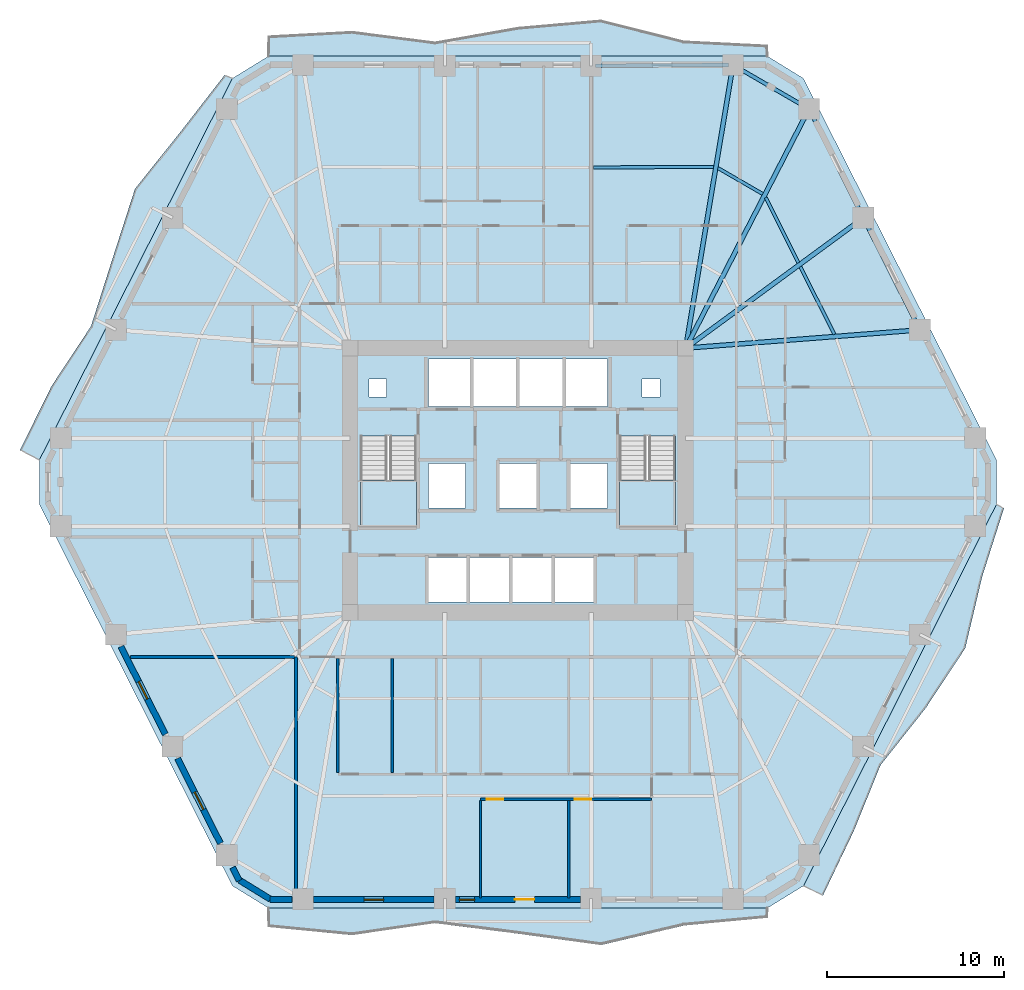
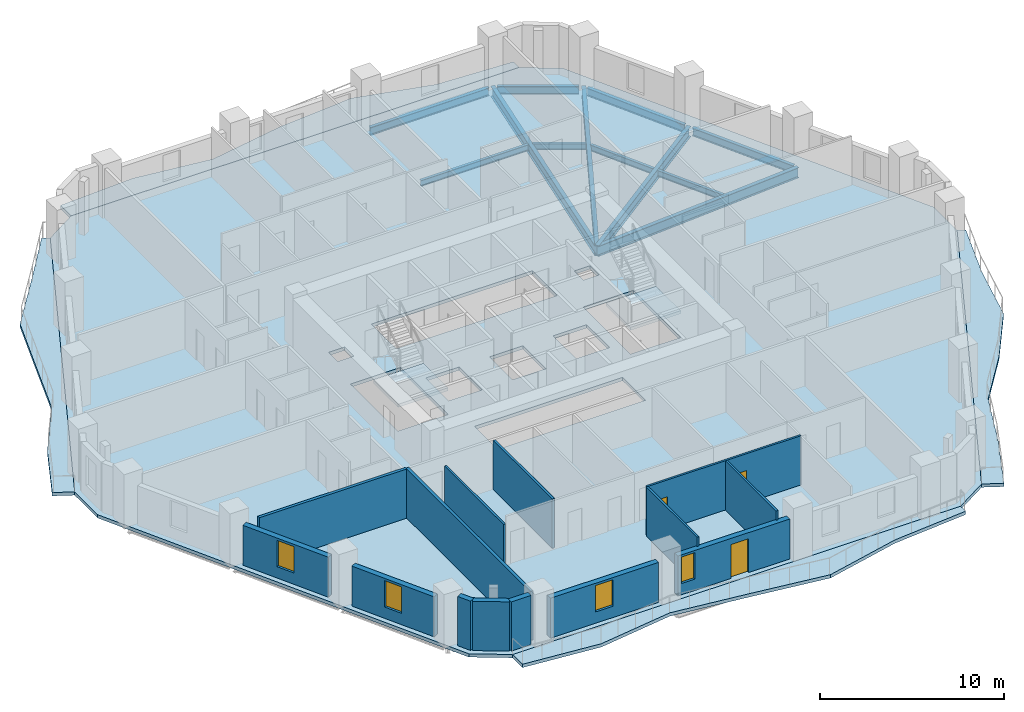
# One storey, part 3 of 12: 14 walls, 12 beams, 7 slabs, 4 windows, 3 doors, 7 openings, 2 elements without a shape of their own.
"""IFC4 building model written with IfcOpenShell, lengths in metres."""

from ifc_helpers import new_model, si_unit, direction, frame, frame_2d, origin, origin_2d, place, context, subcontext, project, spatial, polyline, rectangle, i_section, outline, extrude, material, layer, layer_set, material_profile, profile_set, type_object, element, fill, aggregate, save


model = new_model("IFC4")

# Units and contexts
model_context = context("Model", 3, precision=1e-05, world=origin(), true_north=direction((0.0, 1.0)))
body_context = subcontext(model_context, "Body", "Model", "MODEL_VIEW")
ifc_project = project(units=[si_unit("LENGTHUNIT", "METRE"), si_unit("AREAUNIT", "SQUARE_METRE"), si_unit("VOLUMEUNIT", "CUBIC_METRE"), si_unit("PLANEANGLEUNIT", "RADIAN"), si_unit("MASSUNIT", "GRAM", prefix="KILO")], contexts=[model_context])

# Site, building, storey
site_placement = place(None, origin())
site = spatial("IfcSite", under=ifc_project, at=site_placement, CompositionType="ELEMENT")
building_placement = place(site_placement, origin())
building = spatial("IfcBuilding", under=site, at=building_placement, Name="Cinnabar Lancet Tower", CompositionType="ELEMENT")
storey_placement = place(building_placement, frame((0.0, 0.0, 71.050048828125)))
storey = spatial("IfcBuildingStorey", under=building, at=storey_placement, Name="L18", CompositionType="ELEMENT", Elevation=71.050048828125)

# Beams
ifc_material_1 = material(Name="Structural steel S355", Category="steel")
ifc_material_profile_1 = material_profile(ifc_material_1, i_section(OverallWidth=0.177978515625, OverallDepth=0.406494140625, WebThickness=0.0078125, FlangeThickness=0.0126953125, FilletRadius=0.01025390625, at=origin_2d()), Name="UKB 406x178x60")
ifc_profile_set_1 = profile_set([ifc_material_profile_1], Name="Structural steel S355")
beam_type_1 = type_object("IfcBeamType", Name="STR-BM-JST-406", PredefinedType="JOIST", material=ifc_profile_set_1)
beam_1_placement = place(storey_placement, frame((50.23388671875, 34.132080078125, -0.423095703125), z_axis=(-0.450856172856, 0.8925966118, 0.0), x_axis=(-0.8925966118, -0.450856172856, 0.0)))
element("IfcBeam", 1, at=beam_1_placement, inside=storey, type_object=beam_type_1, Name="L18 Secondary Floor Joist 27", PredefinedType="JOIST", context=body_context, shape_type="SweptSolid", body=[
    extrude(i_section(OverallWidth=0.177978515625, OverallDepth=0.406494140625, WebThickness=0.0078125, FlangeThickness=0.0126953125, FilletRadius=0.01025390625, at=origin_2d()), origin(), (0.0, 0.0, 1.0), 4.25830078125),
])
beam_2_placement = place(storey_placement, frame((48.197998046875, 38.1630859375, -0.423095703125), z_axis=(-0.445641523434, 0.895211501597, 0.0), x_axis=(-0.895211501597, -0.445641523434, 0.0)))
element("IfcBeam", 2, at=beam_2_placement, inside=storey, type_object=beam_type_1, Name="L18 Secondary Floor Joist 29", PredefinedType="JOIST", context=body_context, shape_type="SweptSolid", body=[
    extrude(i_section(OverallWidth=0.177978515625, OverallDepth=0.406494140625, WebThickness=0.0078125, FlangeThickness=0.0126953125, FilletRadius=0.01025390625, at=origin_2d()), origin(), (0.0, 0.0, 1.0), 4.1015625),
])
beam_3_placement = place(storey_placement, frame((46.18994140625, 42.0390625, -0.423095703125), z_axis=(-0.865209684948, 0.501410212373, 0.0), x_axis=(-0.501410212373, -0.865209684948, 0.0)))
element("IfcBeam", 3, at=beam_3_placement, inside=storey, type_object=beam_type_1, Name="L18 Secondary Floor Joist 31", PredefinedType="JOIST", context=body_context, shape_type="SweptSolid", body=[
    extrude(i_section(OverallWidth=0.177978515625, OverallDepth=0.406494140625, WebThickness=0.0078125, FlangeThickness=0.0126953125, FilletRadius=0.01025390625, at=origin_2d()), origin(), (0.0, 0.0, 1.0), 2.90771484375),
])
beam_4_placement = place(storey_placement, frame((43.427978515625, 43.56396484375, -0.423095703125), z_axis=(-0.999988871223, -0.004717778015, 0.0), x_axis=(0.004717778015, -0.999988871223, 0.0)))
element("IfcBeam", 4, at=beam_4_placement, inside=storey, type_object=beam_type_1, Name="L18 Secondary Floor Joist 33", PredefinedType="JOIST", context=body_context, shape_type="SweptSolid", body=[
    extrude(i_section(OverallWidth=0.177978515625, OverallDepth=0.406494140625, WebThickness=0.0078125, FlangeThickness=0.0126953125, FilletRadius=0.01025390625, at=origin_2d()), origin(), (0.0, 0.0, 1.0), 6.779052734375),
])
ifc_material_2 = material(Name="Structural steel S355", Category="steel")
ifc_material_profile_2 = material_profile(ifc_material_2, i_section(OverallWidth=0.209228515625, OverallDepth=0.533203125, WebThickness=0.010009765625, FlangeThickness=0.015625, FilletRadius=0.0126953125, at=origin_2d()), Name="UKB 533x210x92")
ifc_profile_set_2 = profile_set([ifc_material_profile_2], Name="Structural steel S355")
beam_type_2 = type_object("IfcBeamType", Name="STR-BM-SPN-533", PredefinedType="SPANDREL", material=ifc_profile_set_2)
beam_5_placement = place(storey_placement, frame((54.93310546875, 34.60302734375, -0.487060546875), z_axis=(-0.450703143926, 0.892673891214, 0.0), x_axis=(-0.892673891214, -0.450703143926, 0.0)))
element("IfcBeam", 5, at=beam_5_placement, inside=storey, type_object=beam_type_2, Name="L18 Perimeter Spandrel 10", PredefinedType="SPANDREL", context=body_context, shape_type="SweptSolid", body=[
    extrude(i_section(OverallWidth=0.209228515625, OverallDepth=0.533203125, WebThickness=0.010009765625, FlangeThickness=0.015625, FilletRadius=0.0126953125, at=origin_2d()), origin(), (0.0, 0.0, 1.0), 6.570068359375),
])
beam_6_placement = place(storey_placement, frame((51.748046875, 40.9150390625, -0.487060546875), z_axis=(-0.445953050023, 0.89505635419, 0.0), x_axis=(-0.89505635419, -0.445953050023, 0.0)))
element("IfcBeam", 6, at=beam_6_placement, inside=storey, type_object=beam_type_2, Name="L18 Perimeter Spandrel 11", PredefinedType="SPANDREL", context=body_context, shape_type="SweptSolid", body=[
    extrude(i_section(OverallWidth=0.209228515625, OverallDepth=0.533203125, WebThickness=0.010009765625, FlangeThickness=0.015625, FilletRadius=0.0126953125, at=origin_2d()), origin(), (0.0, 0.0, 1.0), 6.35498046875),
])
beam_7_placement = place(storey_placement, frame((48.5869140625, 46.951904296875, -0.487060546875), z_axis=(-0.865147238596, 0.501517951374, 0.0), x_axis=(-0.501517951374, -0.865147238596, 0.0)))
element("IfcBeam", 7, at=beam_7_placement, inside=storey, type_object=beam_type_2, Name="L18 Perimeter Spandrel 12", PredefinedType="SPANDREL", context=body_context, shape_type="SweptSolid", body=[
    extrude(i_section(OverallWidth=0.209228515625, OverallDepth=0.533203125, WebThickness=0.010009765625, FlangeThickness=0.015625, FilletRadius=0.0126953125, at=origin_2d()), origin(), (0.0, 0.0, 1.0), 4.454833984375),
])
beam_8_placement = place(storey_placement, frame((44.26708984375, 49.30908203125, -0.487060546875), z_axis=(-0.99997856757, -0.006547090947, 0.0), x_axis=(0.006547090947, -0.99997856757, 0.0)))
element("IfcBeam", 8, at=beam_8_placement, inside=storey, type_object=beam_type_2, Name="L18 Perimeter Spandrel 13", PredefinedType="SPANDREL", context=body_context, shape_type="SweptSolid", body=[
    extrude(i_section(OverallWidth=0.209228515625, OverallDepth=0.533203125, WebThickness=0.010009765625, FlangeThickness=0.015625, FilletRadius=0.0126953125, at=origin_2d()), origin(), (0.0, 0.0, 1.0), 7.495361328125),
])
ifc_material_3 = material(Name="Structural steel S355", Category="steel")
ifc_material_profile_3 = material_profile(ifc_material_3, i_section(OverallWidth=0.253662109375, OverallDepth=0.68359375, WebThickness=0.012451171875, FlangeThickness=0.01904296875, FilletRadius=0.01513671875, at=origin_2d()), Name="UKB 686x254x140")
ifc_profile_set_3 = profile_set([ifc_material_profile_3], Name="Structural steel S355")
beam_type_3 = type_object("IfcBeamType", Name="STR-BM-UKB686-140", PredefinedType="BEAM", material=ifc_profile_set_3)
beam_9_placement = place(storey_placement, frame((51.85888671875, 40.69091796875, -0.56201171875), z_axis=(-0.80636497312, -0.591418236213, 0.0), x_axis=(0.591418236213, -0.80636497312, 0.0)))
element("IfcBeam", 9, at=beam_9_placement, inside=storey, type_object=beam_type_3, Name="L18 Corner Collector Girder 3", PredefinedType="BEAM", context=body_context, shape_type="SweptSolid", body=[
    extrude(i_section(OverallWidth=0.253662109375, OverallDepth=0.68359375, WebThickness=0.012451171875, FlangeThickness=0.01904296875, FilletRadius=0.01513671875, at=origin_2d()), origin(), (0.0, 0.0, 1.0), 12.412353515625),
])
beam_10_placement = place(storey_placement, frame((55.0458984375, 34.3798828125, -0.56201171875), z_axis=(-0.99696880683, -0.077802302076, 0.0), x_axis=(0.077802302076, -0.99696880683, 0.0)))
element("IfcBeam", 10, at=beam_10_placement, inside=storey, type_object=beam_type_3, Name="L18 Primary Floor Girder 10", PredefinedType="BEAM", context=body_context, shape_type="SweptSolid", body=[
    extrude(i_section(OverallWidth=0.253662109375, OverallDepth=0.68359375, WebThickness=0.012451171875, FlangeThickness=0.01904296875, FilletRadius=0.01513671875, at=origin_2d()), origin(), (0.0, 0.0, 1.0), 13.23583984375),
])
beam_11_placement = place(storey_placement, frame((48.802978515625, 46.826904296875, -0.56201171875), z_axis=(-0.458492410387, -0.888698323177, 0.0), x_axis=(0.888698323177, -0.458492410387, 0.0)))
element("IfcBeam", 11, at=beam_11_placement, inside=storey, type_object=beam_type_3, Name="L18 Primary Floor Girder 12", PredefinedType="BEAM", context=body_context, shape_type="SweptSolid", body=[
    extrude(i_section(OverallWidth=0.253662109375, OverallDepth=0.68359375, WebThickness=0.012451171875, FlangeThickness=0.01904296875, FilletRadius=0.01513671875, at=origin_2d()), origin(), (0.0, 0.0, 1.0), 15.16455078125),
])
beam_12_placement = place(storey_placement, frame((44.51708984375, 49.31103515625, -0.56201171875), z_axis=(-0.164809990854, -0.986325335229, 0.0), x_axis=(0.986325335229, -0.164809990854, 0.0)))
element("IfcBeam", 12, at=beam_12_placement, inside=storey, type_object=beam_type_3, Name="L18 Primary Floor Girder 13", PredefinedType="BEAM", context=body_context, shape_type="SweptSolid", body=[
    extrude(i_section(OverallWidth=0.253662109375, OverallDepth=0.68359375, WebThickness=0.012451171875, FlangeThickness=0.01904296875, FilletRadius=0.01513671875, at=origin_2d()), origin(), (0.0, 0.0, 1.0), 16.18212890625),
])

# Stair, slab
ifc_material_4 = material(Name="Concrete C40/50", Category="concrete")
stair_type = type_object("IfcStairType", Name="ST-CORE", PredefinedType="HALF_TURN_STAIR", material=ifc_material_4)
stair_1_placement = place(storey_placement, origin())
stair_1 = element("IfcStair", 13, at=stair_1_placement, inside=storey, type_object=stair_type, Name="L18 ST-1", PredefinedType="HALF_TURN_STAIR")
ifc_material_5 = material(Name="Concrete C40/50", Category="concrete")
ifc_layer_1 = layer(ifc_material_5, 0.199951171875)
ifc_layer_set_1 = layer_set([ifc_layer_1], Name="Concrete C40/50")
slab_type_1 = type_object("IfcSlabType", Name="LANDING-CORE", PredefinedType="LANDING", material=ifc_layer_set_1)
slab_1_placement = place(storey_placement, frame((0.0, 0.0, 1.574951171875)))
slab_1 = element("IfcSlab", 14, at=slab_1_placement, type_object=slab_type_1, Name="ST-1 landing 1", PredefinedType="LANDING", context=body_context, shape_type="SweptSolid", body=[
    extrude(outline(polyline([(23.52490234375, 25.925048828125), (23.52490234375, 23.25), (26.675048828125, 23.25), (26.675048828125, 25.925048828125), (23.52490234375, 25.925048828125)])), origin(), (0.0, 0.0, 1.0), 0.199951171875),
])
aggregate(stair_1, [slab_1])

stair_2_placement = place(storey_placement, origin())
stair_2 = element("IfcStair", 15, at=stair_2_placement, inside=storey, type_object=stair_type, Name="L18 ST-2", PredefinedType="HALF_TURN_STAIR")
slab_2_placement = place(storey_placement, frame((0.0, 0.0, 1.574951171875)))
slab_2 = element("IfcSlab", 16, at=slab_2_placement, type_object=slab_type_1, Name="ST-2 landing 1", PredefinedType="LANDING", context=body_context, shape_type="SweptSolid", body=[
    extrude(outline(polyline([(38.125, 25.925048828125), (38.125, 23.25), (41.27490234375, 23.25), (41.27490234375, 25.925048828125), (38.125, 25.925048828125)])), origin(), (0.0, 0.0, 1.0), 0.199951171875),
])
aggregate(stair_2, [slab_2])

# Slabs
ifc_material_6 = material(Name="Concrete C40/50", Category="concrete")
ifc_layer_2 = layer(ifc_material_6, 0.219970703125)
ifc_layer_set_2 = layer_set([ifc_layer_2], Name="Concrete C40/50")
slab_type_2 = type_object("IfcSlabType", Name="STR-SLB-FLR-220", PredefinedType="FLOOR", material=ifc_layer_set_2)
slab_3_placement = place(storey_placement, frame((0.0, 0.0, -0.219970703125)))
element("IfcSlab", 17, at=slab_3_placement, inside=storey, type_object=slab_type_2, Name="L18 Structural Floor Slab", PredefinedType="FLOOR", context=body_context, shape_type="SweptSolid", body=[
    extrude(outline(polyline([(16.31201171875, 3.049072265625), (18.343994140625, 1.800048828125), (46.4560546875, 1.800048828125), (48.488037109375, 3.049072265625), (59.367919921875, 24.551025390625), (59.367919921875, 27.049072265625), (48.488037109375, 48.551025390625), (46.4560546875, 49.800048828125), (18.343994140625, 49.800048828125), (16.31201171875, 48.551025390625), (5.431884765625, 27.049072265625), (5.431884765625, 24.551025390625), (16.31201171875, 3.049072265625)]), holes=[polyline([(23.52490234375, 23.25), (26.675048828125, 23.25), (26.675048828125, 28.3994140625), (23.52490234375, 28.3994140625), (23.52490234375, 23.25)]), polyline([(38.125, 23.25), (41.27490234375, 23.25), (41.27490234375, 28.3994140625), (38.125, 28.3994140625), (38.125, 23.25)]), polyline([(27.35009765625, 30.050048828125), (37.449951171875, 30.050048828125), (37.449951171875, 32.75), (27.35009765625, 32.75), (27.35009765625, 30.050048828125)]), polyline([(27.35009765625, 19.050048828125), (36.64990234375, 19.050048828125), (36.64990234375, 21.550048828125), (27.35009765625, 21.550048828125), (27.35009765625, 19.050048828125)]), polyline([(27.35009765625, 24.35009765625), (29.449951171875, 24.35009765625), (29.449951171875, 26.85009765625), (27.35009765625, 26.85009765625), (27.35009765625, 24.35009765625)]), polyline([(35.35009765625, 24.35009765625), (37.449951171875, 24.35009765625), (37.449951171875, 26.85009765625), (35.35009765625, 26.85009765625), (35.35009765625, 24.35009765625)]), polyline([(31.35009765625, 24.35009765625), (33.449951171875, 24.35009765625), (33.449951171875, 26.85009765625), (31.35009765625, 26.85009765625), (31.35009765625, 24.35009765625)]), polyline([(24.0, 30.60009765625), (25.0, 30.60009765625), (25.0, 31.60009765625), (24.0, 31.60009765625), (24.0, 30.60009765625)]), polyline([(39.39990234375, 30.60009765625), (40.39990234375, 30.60009765625), (40.39990234375, 31.60009765625), (39.39990234375, 31.60009765625), (39.39990234375, 30.60009765625)])]), origin(), (0.0, 0.0, 1.0), 0.219970703125),
])
ifc_material_7 = material(Name="Concrete C45/55", Category="concrete")
ifc_layer_3 = layer(ifc_material_7, 0.219970703125)
ifc_layer_set_3 = layer_set([ifc_layer_3], Name="Concrete C45/55")
slab_type_3 = type_object("IfcSlabType", Name="STR-SLB-WAV-220", PredefinedType="FLOOR", material=ifc_layer_set_3)
slab_4_placement = place(storey_placement, frame((0.0, 0.0, -0.219970703125)))
element("IfcSlab", 18, at=slab_4_placement, inside=storey, type_object=slab_type_3, Name="L18 Face 1 Undulating Wave Balcony Slab", PredefinedType="FLOOR", context=body_context, shape_type="SweptSolid", body=[
    extrude(outline(polyline([(18.343994140625, 1.800048828125), (18.343994140625, 0.73095703125), (23.029052734375, 0.27490234375), (27.715087890625, 0.948974609375), (32.39990234375, 0.35400390625), (37.0849609375, -0.287109375), (41.77099609375, 0.81689453125), (46.4560546875, 1.25), (46.4560546875, 1.800048828125), (18.343994140625, 1.800048828125)])), origin(), (0.0, 0.0, 1.0), 0.219970703125),
])
slab_5_placement = place(storey_placement, frame((0.0, 0.0, -0.219970703125)))
element("IfcSlab", 19, at=slab_5_placement, inside=storey, type_object=slab_type_3, Name="L18 Face 2 Undulating Wave Balcony Slab", PredefinedType="FLOOR", context=body_context, shape_type="SweptSolid", body=[
    extrude(outline(polyline([(48.488037109375, 3.049072265625), (49.5791015625, 2.4970703125), (51.31298828125, 6.12109375), (52.8310546875, 9.85400390625), (55.376953125, 13.06689453125), (57.60400390625, 16.44091796875), (58.553955078125, 20.4619140625), (59.7890625, 24.337890625), (59.367919921875, 24.551025390625), (48.488037109375, 3.049072265625)])), origin(), (0.0, 0.0, 1.0), 0.219970703125),
])
slab_6_placement = place(storey_placement, frame((0.0, 0.0, -0.219970703125)))
element("IfcSlab", 20, at=slab_6_placement, inside=storey, type_object=slab_type_3, Name="L18 Face 4 Undulating Wave Balcony Slab", PredefinedType="FLOOR", context=body_context, shape_type="SweptSolid", body=[
    extrude(outline(polyline([(46.4560546875, 49.800048828125), (46.4560546875, 50.424072265625), (41.77099609375, 50.659912109375), (37.0849609375, 51.841064453125), (32.39990234375, 51.431884765625), (27.715087890625, 50.60498046875), (23.029052734375, 51.201904296875), (18.343994140625, 50.943115234375), (18.343994140625, 49.800048828125), (46.4560546875, 49.800048828125)])), origin(), (0.0, 0.0, 1.0), 0.219970703125),
])
slab_7_placement = place(storey_placement, frame((0.0, 0.0, -0.219970703125)))
element("IfcSlab", 21, at=slab_7_placement, inside=storey, type_object=slab_type_3, Name="L18 Face 5 Undulating Wave Balcony Slab", PredefinedType="FLOOR", context=body_context, shape_type="SweptSolid", body=[
    extrude(outline(polyline([(16.31201171875, 48.551025390625), (15.89306640625, 48.762939453125), (13.382080078125, 45.531982421875), (10.822021484375, 42.326904296875), (9.574951171875, 38.4560546875), (8.341064453125, 34.5791015625), (6.115966796875, 31.2041015625), (4.342041015625, 27.60009765625), (5.431884765625, 27.049072265625), (16.31201171875, 48.551025390625)])), origin(), (0.0, 0.0, 1.0), 0.219970703125),
])

# Walls
ifc_material_8 = material(Name="Fire-rated twin-frame acoustic drywall", Category="gypsum")
ifc_layer_4 = layer(ifc_material_8, 0.179931640625)
ifc_layer_set_4 = layer_set([ifc_layer_4], Name="Fire-rated twin-frame acoustic drywall")
wall_type_1 = type_object("IfcWallType", Name="ARC-WL-PARTY-180", PredefinedType="PARTITIONING", material=ifc_layer_set_4)
wall_1_placement = place(storey_placement, frame((19.89990234375, 2.455078125, 0.0), z_axis=(0.0, 0.0, 1.0), x_axis=(0.0, 1.0, 0.0)))
element("IfcWall", 22, at=wall_1_placement, inside=storey, type_object=wall_type_1, Name="PW-L18-SPTY-199", PredefinedType="PARTITIONING", context=body_context, shape_type="SweptSolid", body=[
    extrude(rectangle(XDim=13.494873046875, YDim=0.179931640625, at=frame_2d((6.74755859375, 0.0))), origin(), (0.0, 0.0, 1.0), 3.27001953125),
])
wall_2_placement = place(storey_placement, frame((10.56396484375, 15.949951171875, 0.0), z_axis=(0.0, 0.0, 1.0), x_axis=(1.0, 0.0, 0.0)))
element("IfcWall", 23, at=wall_2_placement, inside=storey, type_object=wall_type_1, Name="PW-L18-WSB", PredefinedType="PARTITIONING", context=body_context, shape_type="SweptSolid", body=[
    extrude(rectangle(XDim=9.240966796875, YDim=0.179931640625, at=frame_2d((4.62060546875, 0.0))), origin(), (0.0, 0.0, 1.0), 3.27001953125),
])
ifc_material_9 = material(Name="Gypsum plasterboard stud partition", Category="gypsum")
ifc_layer_5 = layer(ifc_material_9, 0.125)
ifc_layer_set_5 = layer_set([ifc_layer_5], Name="Gypsum plasterboard stud partition")
wall_type_2 = type_object("IfcWallType", Name="ARC-WL-UNIT-125", PredefinedType="PARTITIONING", material=ifc_layer_set_5)
wall_3_placement = place(storey_placement, frame((22.25, 9.44189453125, 0.0), z_axis=(0.0, 0.0, 1.0), x_axis=(0.0, 1.0, 0.0)))
element("IfcWall", 24, at=wall_3_placement, inside=storey, type_object=wall_type_2, Name="UW-L18-S01-FOYE", PredefinedType="PARTITIONING", context=body_context, shape_type="SweptSolid", body=[
    extrude(rectangle(XDim=6.423095703125, YDim=0.125, at=frame_2d((3.21142578125, 0.0))), origin(), (0.0, 0.0, 1.0), 2.639892578125),
])
wall_4_placement = place(storey_placement, frame((30.297119140625, 2.364990234375, 0.0), z_axis=(0.0, 0.0, 1.0), x_axis=(0.0, 1.0, 0.0)))
element("IfcWall", 25, at=wall_4_placement, inside=storey, type_object=wall_type_2, Name="UW-L18-S01-BD2W", PredefinedType="PARTITIONING", context=body_context, shape_type="SweptSolid", body=[
    extrude(rectangle(XDim=5.507080078125, YDim=0.125, at=frame_2d((2.75341796875, 0.0))), origin(), (0.0, 0.0, 1.0), 3.27001953125),
])

# Wall, openings, doors
wall_5_placement = place(storey_placement, frame((30.297119140625, 7.93701171875, 0.0), z_axis=(0.0, 0.0, 1.0), x_axis=(1.0, 0.0, 0.0)))
wall_5 = element("IfcWall", 26, at=wall_5_placement, inside=storey, type_object=wall_type_2, Name="UW-L18-S01-HLN", PredefinedType="PARTITIONING", context=body_context, shape_type="SweptSolid", body=[
    extrude(rectangle(XDim=9.637939453125, YDim=0.125, at=frame_2d((4.81884765625, 0.0))), origin(), (0.0, 0.0, 1.0), 3.27001953125),
])
opening_1_placement = place(wall_5_placement, frame((0.35009765625, 0.0, 0.0)))
opening_1 = element("IfcOpeningElement", 27, at=opening_1_placement, cuts=wall_5, Name="Opening RD-01", PredefinedType="OPENING", context=body_context, shape_type="SweptSolid", body=[
    extrude(rectangle(XDim=0.919921875, YDim=2.14990234375, at=frame_2d((0.4599609375, 1.074951171875))), frame((0.0, 0.072509765625, 0.0), z_axis=(0.0, -1.0, 0.0), x_axis=(1.0, 0.0, 0.0)), (0.0, 0.0, 1.0), 0.14501953125),
])
opening_2_placement = place(wall_5_placement, frame((5.31494140625, 0.0, 0.0)))
opening_2 = element("IfcOpeningElement", 28, at=opening_2_placement, cuts=wall_5, Name="Opening RD-01", PredefinedType="OPENING", context=body_context, shape_type="SweptSolid", body=[
    extrude(rectangle(XDim=0.919921875, YDim=2.14990234375, at=frame_2d((0.4599609375, 1.074951171875))), frame((0.0, 0.072509765625, 0.0), z_axis=(0.0, -1.0, 0.0), x_axis=(1.0, 0.0, 0.0)), (0.0, 0.0, 1.0), 0.14501953125),
])
ifc_material_10 = material(Name="Engineered timber bedroom door", Category="wood")
door_type_1 = type_object("IfcDoorType", Name="ARC-DR-ROOM", OperationType="NOTDEFINED", PredefinedType="DOOR", material=ifc_material_10)
door_1_placement = place(opening_1_placement, origin())
door_1 = element("IfcDoor", 29, at=door_1_placement, inside=storey, type_object=door_type_1, Name="DR-L18-S01-BD2", OperationType="SINGLE_SWING_RIGHT", OverallHeight=2.14990234375, OverallWidth=0.919921875, PredefinedType="DOOR", context=body_context, shape_type="SweptSolid", body=[
    extrude(rectangle(XDim=0.919921875, YDim=2.14990234375, at=frame_2d((0.4599609375, 1.074951171875))), frame((0.0, 0.02490234375, 0.0), z_axis=(0.0, -1.0, 0.0), x_axis=(1.0, 0.0, 0.0)), (0.0, 0.0, 1.0), 0.050048828125),
])
fill(opening_1, door_1)
door_2_placement = place(opening_2_placement, origin())
door_2 = element("IfcDoor", 30, at=door_2_placement, inside=storey, type_object=door_type_1, Name="DR-L18-S01-BD3", OperationType="SINGLE_SWING_LEFT", OverallHeight=2.14990234375, OverallWidth=0.919921875, PredefinedType="DOOR", context=body_context, shape_type="SweptSolid", body=[
    extrude(rectangle(XDim=0.919921875, YDim=2.14990234375, at=frame_2d((0.4599609375, 1.074951171875))), frame((0.0, 0.02490234375, 0.0), z_axis=(0.0, -1.0, 0.0), x_axis=(1.0, 0.0, 0.0)), (0.0, 0.0, 1.0), 0.050048828125),
])
fill(opening_2, door_2)

# Walls
wall_6_placement = place(storey_placement, frame((35.261962890625, 2.364990234375, 0.0), z_axis=(0.0, 0.0, 1.0), x_axis=(0.0, 1.0, 0.0)))
element("IfcWall", 31, at=wall_6_placement, inside=storey, type_object=wall_type_2, Name="UW-L18-S01-MB2W", PredefinedType="PARTITIONING", context=body_context, shape_type="SweptSolid", body=[
    extrude(rectangle(XDim=5.507080078125, YDim=0.125, at=frame_2d((2.75341796875, 0.0))), origin(), (0.0, 0.0, 1.0), 3.27001953125),
])
ifc_material_11 = material(Name="Moisture-resistant cement-board plumbing wall", Category="masonry")
ifc_layer_6 = layer(ifc_material_11, 0.139892578125)
ifc_layer_set_6 = layer_set([ifc_layer_6], Name="Moisture-resistant cement-board plumbing wall")
wall_type_3 = type_object("IfcWallType", Name="ARC-WL-WET-140", PredefinedType="PLUMBINGWALL", material=ifc_layer_set_6)
wall_7_placement = place(storey_placement, frame((25.30810546875, 9.44189453125, 0.0), z_axis=(0.0, 0.0, 1.0), x_axis=(0.0, 1.0, 0.0)))
element("IfcWall", 32, at=wall_7_placement, inside=storey, type_object=wall_type_3, Name="UW-L18-S01-KDV", PredefinedType="PLUMBINGWALL", context=body_context, shape_type="SweptSolid", body=[
    extrude(rectangle(XDim=6.423095703125, YDim=0.139892578125, at=frame_2d((3.21142578125, 0.0))), origin(), (0.0, 0.0, 1.0), 3.27001953125),
])
ifc_material_12 = material(Name="Cinnabar red clay brick", Category="masonry")
ifc_layer_7 = layer(ifc_material_12, 0.340087890625)
ifc_layer_set_7 = layer_set([ifc_layer_7], Name="Cinnabar red clay brick")
wall_type_4 = type_object("IfcWallType", Name="ENV-WL-BRK-RED-340", PredefinedType="STANDARD", material=ifc_layer_set_7)
wall_8_placement = place(storey_placement, frame((16.719970703125, 3.362060546875, 0.0), z_axis=(0.0, 0.0, 1.0), x_axis=(0.851816122478, -0.523840904748, 0.0)))
element("IfcWall", 33, at=wall_8_placement, inside=storey, type_object=wall_type_4, Name="L18 Chamfered Corner Brick Pier 1.1", PredefinedType="STANDARD", context=body_context, shape_type="SweptSolid", body=[
    extrude(rectangle(XDim=2.01806640625, YDim=0.340087890625, at=frame_2d((1.009033203125, 0.0))), origin(), (0.0, 0.0, 1.0), 3.27001953125),
])
wall_9_placement = place(storey_placement, frame((18.43408203125, 2.280029296875, 0.0), z_axis=(0.0, 0.0, 1.0), x_axis=(1.0, 0.0, 0.0)))
element("IfcWall", 34, at=wall_9_placement, inside=storey, type_object=wall_type_4, Name="L18 Face 1 Masonry Bay Wall 1", PredefinedType="STANDARD", context=body_context, shape_type="SweptSolid", body=[
    extrude(rectangle(XDim=1.244873046875, YDim=0.340087890625, at=frame_2d((0.62255859375, 0.0))), origin(), (0.0, 0.0, 1.0), 3.27001953125),
])

# Wall, opening, window
wall_10_placement = place(storey_placement, frame((20.886962890625, 2.280029296875, 0.0), z_axis=(0.0, 0.0, 1.0), x_axis=(1.0, 0.0, 0.0)))
wall_10 = element("IfcWall", 35, at=wall_10_placement, inside=storey, type_object=wall_type_4, Name="L18 Face 1 Masonry Bay Wall 2", PredefinedType="STANDARD", context=body_context, shape_type="SweptSolid", body=[
    extrude(rectangle(XDim=6.787109375, YDim=0.340087890625, at=frame_2d((3.3935546875, 0.0))), origin(), (0.0, 0.0, 1.0), 2.65185546875),
])
opening_3_placement = place(wall_10_placement, frame((2.843017578125, 0.0, 0.75)))
opening_3 = element("IfcOpeningElement", 36, at=opening_3_placement, cuts=wall_10, Name="Opening WN-04", PredefinedType="OPENING", context=body_context, shape_type="SweptSolid", body=[
    extrude(rectangle(XDim=1.10009765625, YDim=1.751953125, at=frame_2d((0.550048828125, 0.8759765625))), frame((0.0, 0.179931640625, 0.0), z_axis=(0.0, -1.0, 0.0), x_axis=(1.0, 0.0, 0.0)), (0.0, 0.0, 1.0), 0.360107421875),
])
ifc_material_13 = material(Name="Thermally broken bronze-anodized aluminium tall lancet window", Category="aluminium")
window_type = type_object("IfcWindowType", Name="ENV-WN-LANCET-1100", PartitioningType="SINGLE_PANEL", PredefinedType="WINDOW", material=ifc_material_13)
window_1_placement = place(opening_3_placement, origin())
window_1 = element("IfcWindow", 37, at=window_1_placement, inside=storey, type_object=window_type, Name="L18 Face 1 Gothic Lancet Window 2", OverallHeight=1.751953125, OverallWidth=1.10009765625, PartitioningType="SINGLE_PANEL", PredefinedType="WINDOW", context=body_context, shape_type="SweptSolid", body=[
    extrude(rectangle(XDim=1.10009765625, YDim=1.751953125, at=frame_2d((0.550048828125, 0.8759765625))), frame((0.0, 0.030029296875, 0.0), z_axis=(0.0, -1.0, 0.0), x_axis=(1.0, 0.0, 0.0)), (0.0, 0.0, 1.0), 0.06005859375),
])
fill(opening_3, window_1)

# Wall, openings, door, window
wall_11_placement = place(storey_placement, frame((28.882080078125, 2.280029296875, 0.0), z_axis=(0.0, 0.0, 1.0), x_axis=(1.0, 0.0, 0.0)))
wall_11 = element("IfcWall", 38, at=wall_11_placement, inside=storey, type_object=wall_type_4, Name="L18 Face 1 Masonry Bay Wall 3", PredefinedType="STANDARD", context=body_context, shape_type="SweptSolid", body=[
    extrude(rectangle(XDim=7.035888671875, YDim=0.340087890625, at=frame_2d((3.51806640625, 0.0))), origin(), (0.0, 0.0, 1.0), 2.65185546875),
])
opening_4_placement = place(wall_11_placement, frame((3.346923828125, 0.0, 0.0)))
opening_4 = element("IfcOpeningElement", 39, at=opening_4_placement, cuts=wall_11, Name="Opening TD-01", PredefinedType="OPENING", context=body_context, shape_type="SweptSolid", body=[
    extrude(rectangle(XDim=1.10009765625, YDim=2.25, at=frame_2d((0.550048828125, 1.125))), frame((0.0, 0.179931640625, 0.0), z_axis=(0.0, -1.0, 0.0), x_axis=(1.0, 0.0, 0.0)), (0.0, 0.0, 1.0), 0.360107421875),
])
opening_5_placement = place(wall_11_placement, frame((0.219970703125, 0.0, 0.75)))
opening_5 = element("IfcOpeningElement", 40, at=opening_5_placement, cuts=wall_11, Name="Opening WN-04", PredefinedType="OPENING", context=body_context, shape_type="SweptSolid", body=[
    extrude(rectangle(XDim=0.862060546875, YDim=1.751953125, at=frame_2d((0.43115234375, 0.8759765625))), frame((0.0, 0.179931640625, 0.0), z_axis=(0.0, -1.0, 0.0), x_axis=(1.0, 0.0, 0.0)), (0.0, 0.0, 1.0), 0.360107421875),
])
ifc_material_14 = material(Name="Thermally broken low-E glazed balcony terrace door", Category="wood")
door_type_2 = type_object("IfcDoorType", Name="ARC-DR-BALC", OperationType="NOTDEFINED", PredefinedType="DOOR", material=ifc_material_14)
door_3_placement = place(opening_4_placement, origin())
door_3 = element("IfcDoor", 41, at=door_3_placement, inside=storey, type_object=door_type_2, Name="L18 Face 1 Glazed Terrace Door", OperationType="SINGLE_SWING_RIGHT", OverallHeight=2.25, OverallWidth=1.10009765625, PredefinedType="DOOR", context=body_context, shape_type="SweptSolid", body=[
    extrude(rectangle(XDim=1.10009765625, YDim=2.25, at=frame_2d((0.550048828125, 1.125))), frame((0.0, 0.02490234375, 0.0), z_axis=(0.0, -1.0, 0.0), x_axis=(1.0, 0.0, 0.0)), (0.0, 0.0, 1.0), 0.050048828125),
])
fill(opening_4, door_3)
window_2_placement = place(opening_5_placement, origin())
window_2 = element("IfcWindow", 42, at=window_2_placement, inside=storey, type_object=window_type, Name="L18 Split-Bay Gothic Lancet Window 45", OverallHeight=1.751953125, OverallWidth=0.862060546875, PartitioningType="SINGLE_PANEL", PredefinedType="WINDOW", context=body_context, shape_type="SweptSolid", body=[
    extrude(rectangle(XDim=0.862060546875, YDim=1.751953125, at=frame_2d((0.43115234375, 0.8759765625))), frame((0.0, 0.030029296875, 0.0), z_axis=(0.0, -1.0, 0.0), x_axis=(1.0, 0.0, 0.0)), (0.0, 0.0, 1.0), 0.06005859375),
])
fill(opening_5, window_2)

# Wall, opening, window
wall_12_placement = place(storey_placement, frame((10.02392578125, 16.5390625, 0.0), z_axis=(0.0, 0.0, 1.0), x_axis=(0.451627137896, -0.892206774417, 0.0)))
wall_12 = element("IfcWall", 43, at=wall_12_placement, inside=storey, type_object=wall_type_4, Name="L18 Face 6 Masonry Bay Wall 3", PredefinedType="STANDARD", context=body_context, shape_type="SweptSolid", body=[
    extrude(rectangle(XDim=5.546875, YDim=0.340087890625, at=frame_2d((2.7734375, 0.0))), origin(), (0.0, 0.0, 1.0), 2.65185546875),
])
opening_6_placement = place(wall_12_placement, frame((2.222900390625, 0.0, 0.75)))
opening_6 = element("IfcOpeningElement", 44, at=opening_6_placement, cuts=wall_12, Name="Opening WN-04", PredefinedType="OPENING", context=body_context, shape_type="SweptSolid", body=[
    extrude(rectangle(XDim=1.10009765625, YDim=1.751953125, at=frame_2d((0.550048828125, 0.8759765625))), frame((0.0, 0.179931640625, 0.0), z_axis=(0.0, -1.0, 0.0), x_axis=(1.0, 0.0, 0.0)), (0.0, 0.0, 1.0), 0.360107421875),
])
window_3_placement = place(opening_6_placement, origin())
window_3 = element("IfcWindow", 45, at=window_3_placement, inside=storey, type_object=window_type, Name="L18 Face 6 Gothic Lancet Window 3", OverallHeight=1.751953125, OverallWidth=1.10009765625, PartitioningType="SINGLE_PANEL", PredefinedType="WINDOW", context=body_context, shape_type="SweptSolid", body=[
    extrude(rectangle(XDim=1.10009765625, YDim=1.751953125, at=frame_2d((0.550048828125, 0.8759765625))), frame((0.0, 0.030029296875, 0.0), z_axis=(0.0, -1.0, 0.0), x_axis=(1.0, 0.0, 0.0)), (0.0, 0.0, 1.0), 0.06005859375),
])
fill(opening_6, window_3)

wall_13_placement = place(storey_placement, frame((13.217041015625, 10.22802734375, 0.0), z_axis=(0.0, 0.0, 1.0), x_axis=(0.451697561555, -0.892171123095, 0.0)))
wall_13 = element("IfcWall", 46, at=wall_13_placement, inside=storey, type_object=wall_type_4, Name="L18 Face 6 Masonry Bay Wall 4", PredefinedType="STANDARD", context=body_context, shape_type="SweptSolid", body=[
    extrude(rectangle(XDim=5.350830078125, YDim=0.340087890625, at=frame_2d((2.67529296875, 0.0))), origin(), (0.0, 0.0, 1.0), 2.65185546875),
])
opening_7_placement = place(wall_13_placement, frame((2.125, 0.0, 0.75)))
opening_7 = element("IfcOpeningElement", 47, at=opening_7_placement, cuts=wall_13, Name="Opening WN-04", PredefinedType="OPENING", context=body_context, shape_type="SweptSolid", body=[
    extrude(rectangle(XDim=1.10009765625, YDim=1.751953125, at=frame_2d((0.550048828125, 0.8759765625))), frame((0.0, 0.179931640625, 0.0), z_axis=(0.0, -1.0, 0.0), x_axis=(1.0, 0.0, 0.0)), (0.0, 0.0, 1.0), 0.360107421875),
])
window_4_placement = place(opening_7_placement, origin())
window_4 = element("IfcWindow", 48, at=window_4_placement, inside=storey, type_object=window_type, Name="L18 Face 6 Gothic Lancet Window 4", OverallHeight=1.751953125, OverallWidth=1.10009765625, PartitioningType="SINGLE_PANEL", PredefinedType="WINDOW", context=body_context, shape_type="SweptSolid", body=[
    extrude(rectangle(XDim=1.10009765625, YDim=1.751953125, at=frame_2d((0.550048828125, 0.8759765625))), frame((0.0, 0.030029296875, 0.0), z_axis=(0.0, -1.0, 0.0), x_axis=(1.0, 0.0, 0.0)), (0.0, 0.0, 1.0), 0.06005859375),
])
fill(opening_7, window_4)

# Wall
wall_14_placement = place(storey_placement, frame((16.322021484375, 4.092041015625, 0.0), z_axis=(0.0, 0.0, 1.0), x_axis=(0.45187807258, -0.892079709175, 0.0)))
element("IfcWall", 49, at=wall_14_placement, inside=storey, type_object=wall_type_4, Name="L18 Face 6 Masonry Bay Wall 5", PredefinedType="STANDARD", context=body_context, shape_type="SweptSolid", body=[
    extrude(rectangle(XDim=0.83642578125, YDim=0.340087890625, at=frame_2d((0.418212890625, 0.0))), origin(), (0.0, 0.0, 1.0), 3.27001953125),
])

save(model, "model.ifc")
